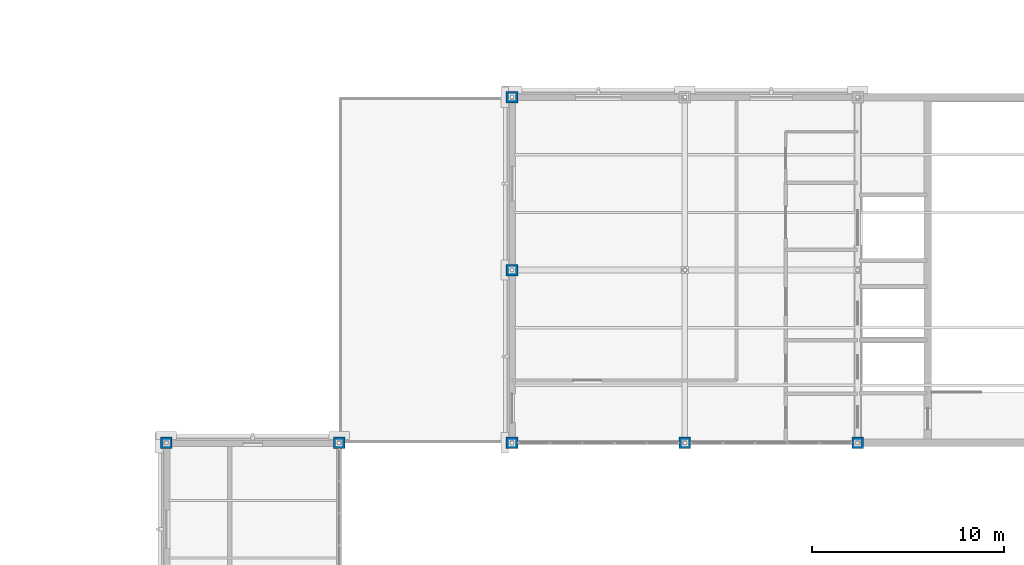
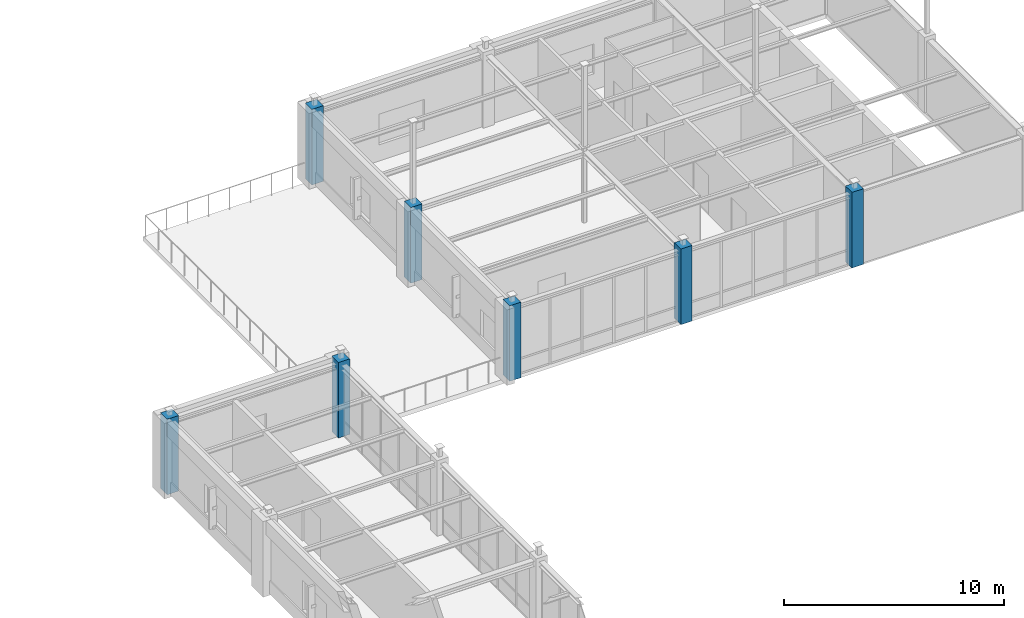
# One storey, part 8 of 97: 7 columns.
"""IFC4 building model written with IfcOpenShell, lengths in metres."""

from ifc_helpers import new_model, si_unit, direction, frame, origin, origin_2d, place, context, subcontext, project, spatial, rectangle, extrude, material, material_profile, profile_set, type_object, element, save


model = new_model("IFC4")

# Units and contexts
model_context = context("Model", 3, precision=1e-05, world=origin(), true_north=direction((0.0, 1.0)))
body_context = subcontext(model_context, "Body", "Model", "MODEL_VIEW")
ifc_project = project(units=[si_unit("LENGTHUNIT", "METRE"), si_unit("AREAUNIT", "SQUARE_METRE"), si_unit("VOLUMEUNIT", "CUBIC_METRE"), si_unit("PLANEANGLEUNIT", "RADIAN"), si_unit("MASSUNIT", "GRAM", prefix="KILO")], contexts=[model_context])

# Site, building, storey
site_placement = place(None, origin())
site = spatial("IfcSite", under=ifc_project, at=site_placement, CompositionType="ELEMENT")
building_placement = place(site_placement, origin())
building = spatial("IfcBuilding", under=site, at=building_placement, Name="Lykobir Media Centre", CompositionType="ELEMENT")
storey_placement = place(building_placement, frame((0.0, 0.0, 23.39990234375)))
storey = spatial("IfcBuildingStorey", under=building, at=storey_placement, Name="L05", CompositionType="ELEMENT", Elevation=23.39990234375)

# Columns
ifc_material = material(Name="Concrete C40/50", Category="concrete")
ifc_material_profile_1 = material_profile(ifc_material, rectangle(XDim=0.60009765625, YDim=0.60009765625, at=origin_2d()), Name="RC 600x600")
ifc_profile_set_1 = profile_set([ifc_material_profile_1], Name="Concrete C40/50")
column_type_1 = type_object("IfcColumnType", Name="RC-C600", PredefinedType="COLUMN", material=ifc_profile_set_1)
for number, where, z_axis, x_axis, name in (
    (1, (99.0, 72.0, 0.0), (0.0, 0.0, 1.0), (1.0, 0.0, 0.0), "Column COL-L05-0990-0720"),
    (2, (108.0, 72.0, 0.0), (0.0, 0.0, 1.0), (1.0, 0.0, 0.0), "Column COL-L05-1080-0720"),
    (3, (108.0, 81.0, 0.0), (0.0, 0.0, 1.0), (1.0, 0.0, 0.0), "Column COL-L05-1080-0810"),
    (4, (108.0, 90.0, 0.0), (0.0, 0.0, 1.0), (1.0, 0.0, 0.0), "Column COL-L05-1080-0900"),
    (5, (117.0, 72.0, 0.0), (0.0, 0.0, 1.0), (1.0, 0.0, 0.0), "Column COL-L05-1170-0720"),
    (6, (126.0, 72.0, 0.0), (0.0, 0.0, 1.0), (1.0, 0.0, 0.0), "Column COL-L05-1260-0720"),
):
    element("IfcColumn", number, at=place(storey_placement, frame(where, z_axis=z_axis, x_axis=x_axis)), inside=storey, type_object=column_type_1, Name=name, PredefinedType="COLUMN", context=body_context, shape_type="SweptSolid", body=[
        extrude(rectangle(XDim=0.60009765625, YDim=0.60009765625, at=origin_2d()), origin(), (0.0, 0.0, 1.0), 4.2001953125),
    ])
ifc_material_profile_2 = material_profile(ifc_material, rectangle(XDim=0.60009765625, YDim=0.60009765625, at=origin_2d()), Name="RC 600x600")
ifc_profile_set_2 = profile_set([ifc_material_profile_2], Name="Concrete C40/50")
column_type_2 = type_object("IfcColumnType", Name="RC-C600-E", PredefinedType="COLUMN", material=ifc_profile_set_2)
column_placement = place(storey_placement, frame((90.0, 72.0, 0.0), z_axis=(0.0, 0.0, 1.0), x_axis=(1.0, 0.0, 0.0)))
element("IfcColumn", 7, at=column_placement, inside=storey, type_object=column_type_2, Name="Column COL-L05-0900-0720", PredefinedType="COLUMN", context=body_context, shape_type="SweptSolid", body=[
    extrude(rectangle(XDim=0.60009765625, YDim=0.60009765625, at=origin_2d()), origin(), (0.0, 0.0, 1.0), 4.2001953125),
])

save(model, "model.ifc")
